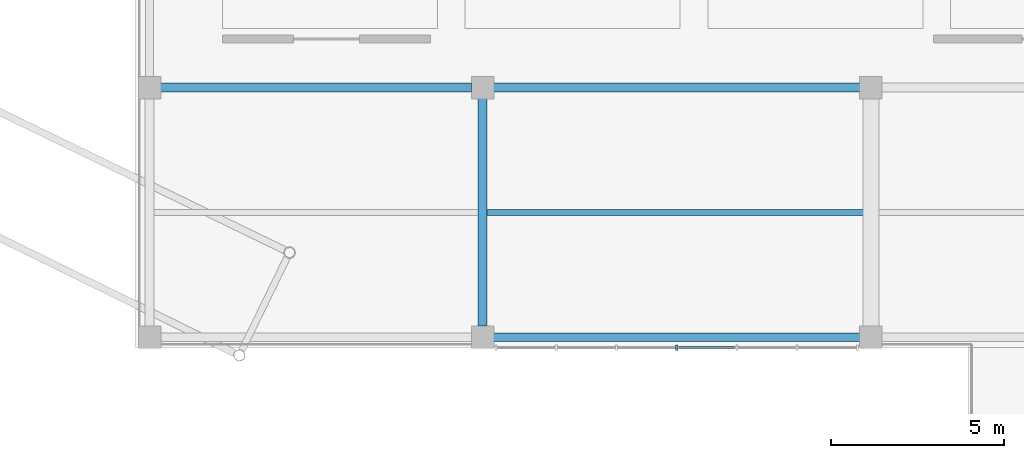
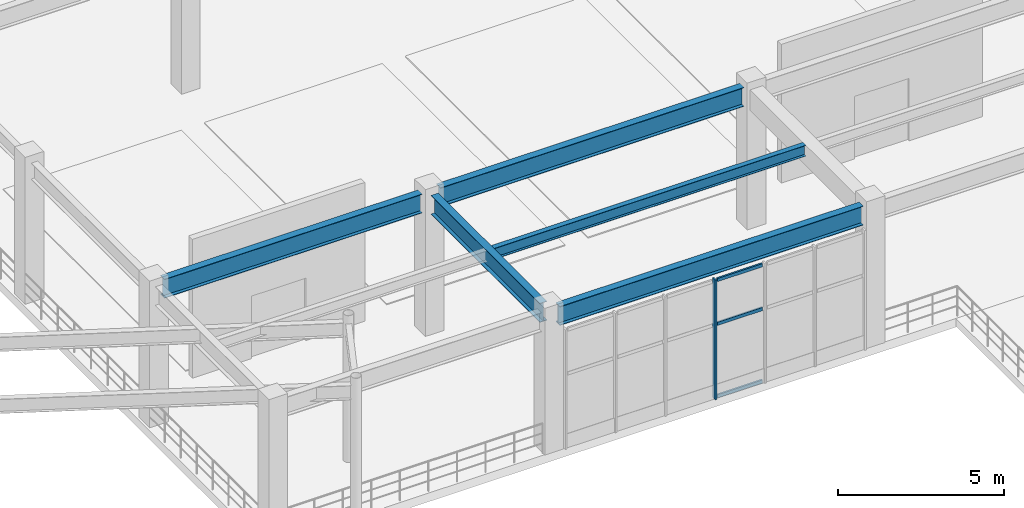
# One storey, part 33 of 93: 5 beams, 4 members, 1 element without a shape of its own.
"""IFC4 building model written with IfcOpenShell, lengths in metres."""

from ifc_helpers import new_model, si_unit, direction, frame, origin, origin_2d, place, context, subcontext, project, spatial, rectangle, i_section, extrude, material, material_profile, profile_set, type_object, element, aggregate, save


model = new_model("IFC4")

# Units and contexts
model_context = context("Model", 3, precision=1e-05, world=origin(), true_north=direction((0.0, 1.0)))
body_context = subcontext(model_context, "Body", "Model", "MODEL_VIEW")
ifc_project = project(units=[si_unit("LENGTHUNIT", "METRE"), si_unit("AREAUNIT", "SQUARE_METRE"), si_unit("VOLUMEUNIT", "CUBIC_METRE"), si_unit("PLANEANGLEUNIT", "RADIAN"), si_unit("MASSUNIT", "GRAM", prefix="KILO")], contexts=[model_context])

# Site, building, storey
site_placement = place(None, origin())
site = spatial("IfcSite", under=ifc_project, at=site_placement, CompositionType="ELEMENT")
building_placement = place(site_placement, origin())
building = spatial("IfcBuilding", under=site, at=building_placement, Name="Cinderbank Siding Concert Hall", CompositionType="ELEMENT")
storey_placement = place(building_placement, origin())
storey = spatial("IfcBuildingStorey", under=building, at=storey_placement, Name="L01", CompositionType="ELEMENT", Elevation=0.0)

# Beams
ifc_material_1 = material(Name="Structural steel welded plate section AS/NZS 3679.2 / AS/NZS 3678 Grade 350 (340 MPa)", Category="steel")
ifc_material_profile_1 = material_profile(ifc_material_1, i_section(OverallWidth=0.25, OverallDepth=0.699951171875, WebThickness=0.010009765625, FlangeThickness=0.01611328125, at=origin_2d()), Name="700WB130", Category="LoadBearing")
ifc_profile_set_1 = profile_set([ifc_material_profile_1], Name="Structural steel welded plate section AS/NZS 3679.2 / AS/NZS 3678 Grade 350 (340 MPa)")
beam_type_1 = type_object("IfcBeamType", Name="BM-WB700 700WB130", PredefinedType="BEAM", material=ifc_profile_set_1)
beam_1_placement = place(storey_placement, frame((118.717041015625, 95.800048828125, 4.77197265625), z_axis=(1.0, 0.0, 0.0), x_axis=(0.0, 1.0, 0.0)))
element("IfcBeam", 1, at=beam_1_placement, inside=storey, type_object=beam_type_1, Name="L01 Beam BM-WB700 #1316", PredefinedType="BEAM", context=body_context, shape_type="SweptSolid", body=[
    extrude(i_section(OverallWidth=0.25, OverallDepth=0.699951171875, WebThickness=0.010009765625, FlangeThickness=0.01611328125, at=origin_2d()), origin(), (0.0, 0.0, 1.0), 8.966064453125),
])
beam_2_placement = place(storey_placement, frame((128.31689453125, 88.60009765625, 4.77197265625), z_axis=(1.0, 0.0, 0.0), x_axis=(0.0, 1.0, 0.0)))
element("IfcBeam", 2, at=beam_2_placement, inside=storey, type_object=beam_type_1, Name="L01 Beam BM-WB700 #1322", PredefinedType="BEAM", context=body_context, shape_type="SweptSolid", body=[
    extrude(i_section(OverallWidth=0.25, OverallDepth=0.699951171875, WebThickness=0.010009765625, FlangeThickness=0.01611328125, at=origin_2d()), origin(), (0.0, 0.0, 1.0), 10.566162109375),
])
beam_3_placement = place(storey_placement, frame((128.0, 88.9169921875, 4.77197265625), z_axis=(0.0, 1.0, 0.0), x_axis=(-1.0, 0.0, 0.0)))
element("IfcBeam", 3, at=beam_3_placement, inside=storey, type_object=beam_type_1, Name="L01 Beam BM-WB700 #1323", PredefinedType="BEAM", context=body_context, shape_type="SweptSolid", body=[
    extrude(i_section(OverallWidth=0.25, OverallDepth=0.699951171875, WebThickness=0.010009765625, FlangeThickness=0.01611328125, at=origin_2d()), origin(), (0.0, 0.0, 1.0), 6.56591796875),
])
beam_4_placement = place(storey_placement, frame((128.31689453125, 95.800048828125, 4.77197265625), z_axis=(1.0, 0.0, 0.0), x_axis=(0.0, 1.0, 0.0)))
element("IfcBeam", 4, at=beam_4_placement, inside=storey, type_object=beam_type_1, Name="L01 Beam BM-WB700 #1324", PredefinedType="BEAM", context=body_context, shape_type="SweptSolid", body=[
    extrude(i_section(OverallWidth=0.25, OverallDepth=0.699951171875, WebThickness=0.010009765625, FlangeThickness=0.01611328125, at=origin_2d()), origin(), (0.0, 0.0, 1.0), 10.566162109375),
])

# Curtain wall, members
ifc_material_2 = material(Name="Anodised aluminium alloy 6063-T6", Category="aluminium")
curtain_wall_type = type_object("IfcCurtainWallType", Name="CW-16 Unitised Acoustic Curtain Wall 9200x3800", PredefinedType="NOTDEFINED", material=ifc_material_2)
curtain_wall_placement = place(storey_placement, origin())
curtain_wall = element("IfcCurtainWall", 5, at=curtain_wall_placement, inside=storey, type_object=curtain_wall_type, Name="L01 Curtain Wall CW-16 #150", PredefinedType="NOTDEFINED")
ifc_material_profile_2 = material_profile(ifc_material_2, rectangle(XDim=0.06005859375, YDim=0.159912109375, at=origin_2d()), Name="ALU-MULL-60x160", Category="LoadBearing")
ifc_profile_set_2 = profile_set([ifc_material_profile_2], Name="Anodised aluminium alloy 6063-T6")
member_type_1 = type_object("IfcMemberType", Name="CW-ML1 Mullion 60x160", PredefinedType="MULLION", material=ifc_profile_set_2)
member_1_placement = place(storey_placement, frame((133.60009765625, 88.300048828125, 0.0), z_axis=(0.0, 0.0, 1.0), x_axis=(1.0, 0.0, 0.0)))
member_1 = element("IfcMember", 6, at=member_1_placement, type_object=member_type_1, Name="CW-L01-150 Mullion 3", PredefinedType="MULLION", context=body_context, shape_type="SweptSolid", body=[
    extrude(rectangle(XDim=0.06005859375, YDim=0.159912109375, at=origin_2d()), origin(), (0.0, 0.0, 1.0), 4.39990234375),
])
ifc_material_profile_3 = material_profile(ifc_material_2, rectangle(XDim=0.06005859375, YDim=0.1201171875, at=origin_2d()), Name="ALU-TRAN-60x120", Category="LoadBearing")
ifc_profile_set_3 = profile_set([ifc_material_profile_3], Name="Anodised aluminium alloy 6063-T6")
member_type_2 = type_object("IfcMemberType", Name="CW-TR1 Transom 60x120", PredefinedType="USERDEFINED", material=ifc_profile_set_3)
member_2_placement = place(storey_placement, frame((133.686767578125, 88.300048828125, 0.06005859375), z_axis=(1.0, 0.0, 0.0), x_axis=(0.0, 1.0, 0.0)))
member_2 = element("IfcMember", 7, at=member_2_placement, type_object=member_type_2, Name="CW-L01-150 Transom 3-0", ObjectType="TRANSOM", PredefinedType="USERDEFINED", context=body_context, shape_type="SweptSolid", body=[
    extrude(rectangle(XDim=0.06005859375, YDim=0.1201171875, at=origin_2d()), origin(), (0.0, 0.0, 1.0), 1.56298828125),
])
member_3_placement = place(storey_placement, frame((133.686767578125, 88.300048828125, 2.72802734375), z_axis=(1.0, 0.0, 0.0), x_axis=(0.0, 1.0, 0.0)))
member_3 = element("IfcMember", 8, at=member_3_placement, type_object=member_type_2, Name="CW-L01-150 Transom 3-1", ObjectType="TRANSOM", PredefinedType="USERDEFINED", context=body_context, shape_type="SweptSolid", body=[
    extrude(rectangle(XDim=0.06005859375, YDim=0.1201171875, at=origin_2d()), origin(), (0.0, 0.0, 1.0), 1.56298828125),
])
member_4_placement = place(storey_placement, frame((133.686767578125, 88.300048828125, 4.340087890625), z_axis=(1.0, 0.0, 0.0), x_axis=(0.0, 1.0, 0.0)))
member_4 = element("IfcMember", 9, at=member_4_placement, type_object=member_type_2, Name="CW-L01-150 Transom 3-2", ObjectType="TRANSOM", PredefinedType="USERDEFINED", context=body_context, shape_type="SweptSolid", body=[
    extrude(rectangle(XDim=0.06005859375, YDim=0.1201171875, at=origin_2d()), origin(), (0.0, 0.0, 1.0), 1.56298828125),
])
aggregate(curtain_wall, [member_1, member_2, member_3, member_4])

# Beam
ifc_material_3 = material(Name="Structural steel AS/NZS 3679.1 Grade 350 (340 MPa)", Category="steel")
ifc_material_profile_4 = material_profile(ifc_material_3, i_section(OverallWidth=0.177978515625, OverallDepth=0.402587890625, WebThickness=0.007568359375, FlangeThickness=0.010986328125, at=origin_2d()), Name="410UB53.7", Category="LoadBearing")
ifc_profile_set_4 = profile_set([ifc_material_profile_4], Name="Structural steel AS/NZS 3679.1 Grade 350 (340 MPa)")
beam_type_2 = type_object("IfcBeamType", Name="JS-UB410 410UB53.7", PredefinedType="JOIST", material=ifc_profile_set_4)
beam_5_placement = place(storey_placement, frame((128.116943359375, 92.199951171875, 4.920654296875), z_axis=(1.0, 0.0, 0.0), x_axis=(0.0, 1.0, 0.0)))
element("IfcBeam", 10, at=beam_5_placement, inside=storey, type_object=beam_type_2, Name="L01 Beam JS-UB410 #1456", PredefinedType="JOIST", context=body_context, shape_type="SweptSolid", body=[
    extrude(i_section(OverallWidth=0.177978515625, OverallDepth=0.402587890625, WebThickness=0.007568359375, FlangeThickness=0.010986328125, at=origin_2d()), origin(), (0.0, 0.0, 1.0), 10.865966796875),
])

save(model, "model.ifc")
